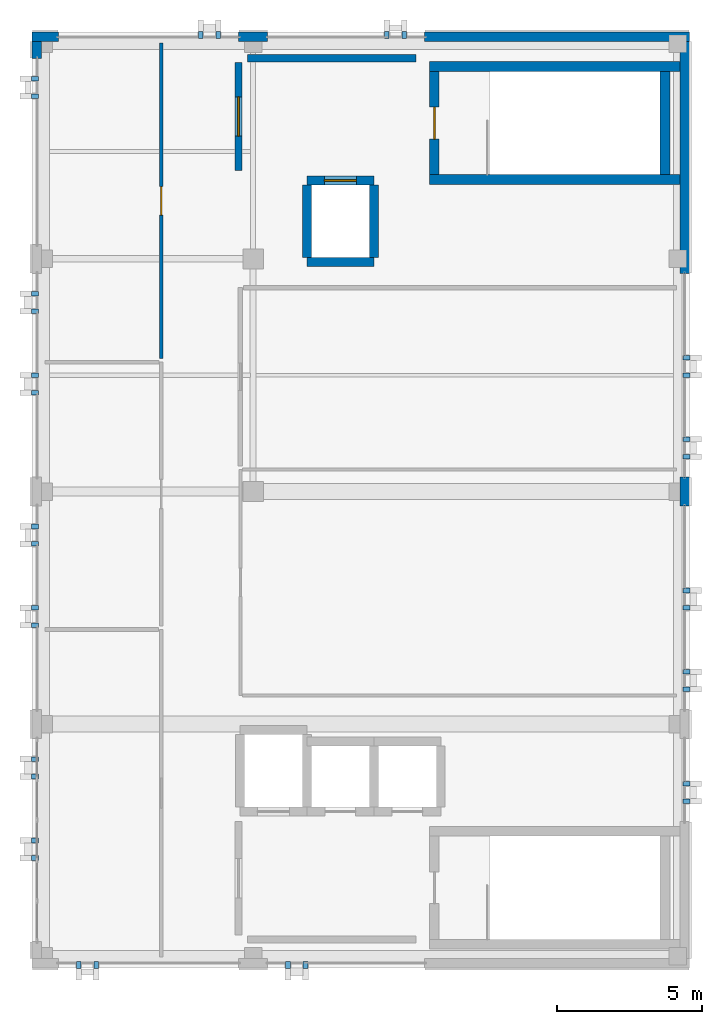
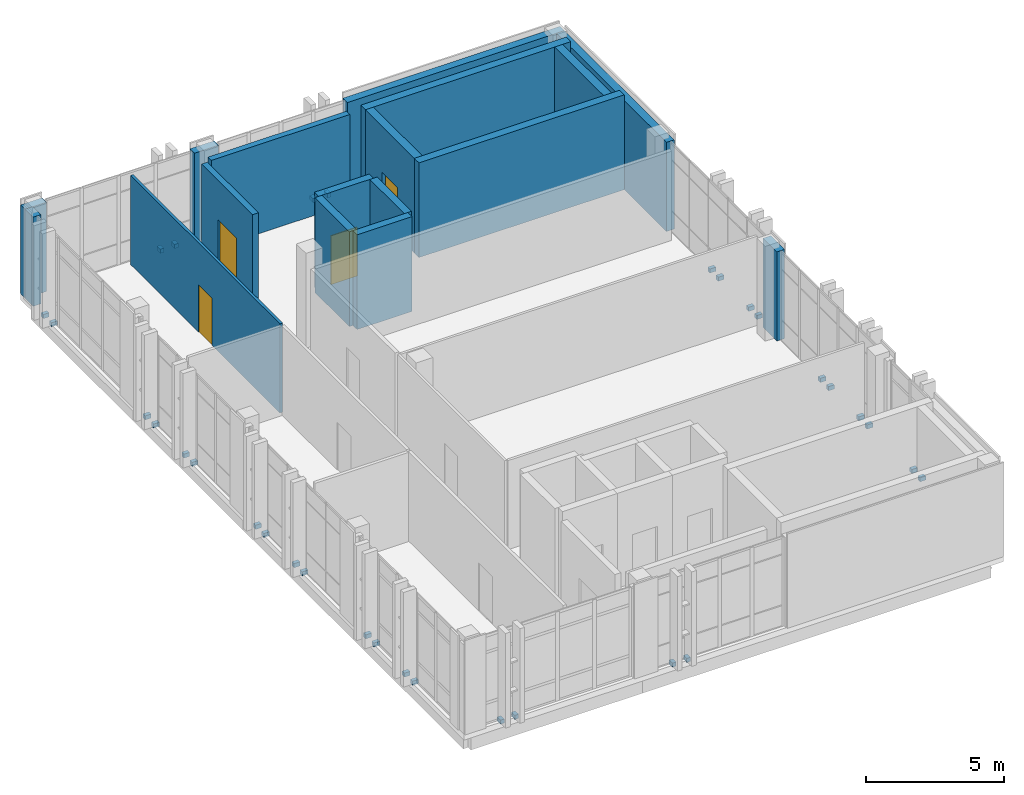
# One storey, part 18 of 19: 32 discrete accessories, 17 walls, 4 doors, 4 openings.
"""IFC4 building model written with IfcOpenShell, lengths in metres."""

from ifc_helpers import new_model, si_unit, direction, frame, frame_2d, origin, origin_2d, place, context, subcontext, project, spatial, rectangle, extrude, material, layer, layer_set, type_object, element, fill, save


model = new_model("IFC4")

# Units and contexts
model_context = context("Model", 3, precision=1e-05, world=origin(), true_north=direction((0.0, 1.0)))
body_context = subcontext(model_context, "Body", "Model", "MODEL_VIEW")
ifc_project = project(units=[si_unit("LENGTHUNIT", "METRE"), si_unit("AREAUNIT", "SQUARE_METRE"), si_unit("VOLUMEUNIT", "CUBIC_METRE"), si_unit("PLANEANGLEUNIT", "RADIAN"), si_unit("MASSUNIT", "GRAM", prefix="KILO")], contexts=[model_context])

# Site, building, storey
site_placement = place(None, origin())
site = spatial("IfcSite", under=ifc_project, at=site_placement, CompositionType="ELEMENT")
building_placement = place(site_placement, origin())
building = spatial("IfcBuilding", under=site, at=building_placement, Name="Qalavern Law Courts", CompositionType="ELEMENT")
storey_placement = place(building_placement, frame((0.0, 0.0, 39.60009765625)))
storey = spatial("IfcBuildingStorey", under=building, at=storey_placement, Name="L09", CompositionType="ELEMENT", Elevation=39.60009765625)

# Walls
ifc_material_1 = material(Name="Concrete C40/50", Category="concrete")
ifc_layer_1 = layer(ifc_material_1, 0.324951171875)
ifc_layer_set_1 = layer_set([ifc_layer_1], Name="Concrete C40/50")
wall_type_1 = type_object("IfcWallType", Name="ENV-EW-325", PredefinedType="SOLIDWALL", material=ifc_layer_set_1)
wall_1_placement = place(storey_placement, frame((106.637451171875, 56.89990234375, 0.0), z_axis=(0.0, 0.0, 1.0), x_axis=(0.0, 1.0, 0.0)))
element("IfcWall", 1, at=wall_1_placement, inside=storey, type_object=wall_type_1, Name="V4 exterior pier wall L09 east 3", PredefinedType="SOLIDWALL", context=body_context, shape_type="SweptSolid", body=[
    extrude(rectangle(XDim=1.0, YDim=0.324951171875, at=frame_2d((0.5, 0.0))), origin(), (0.0, 0.0, 1.0), 3.949951171875),
])
wall_2_placement = place(storey_placement, frame((106.637451171875, 64.89990234375, 0.0), z_axis=(0.0, 0.0, 1.0), x_axis=(0.0, 1.0, 0.0)))
element("IfcWall", 2, at=wall_2_placement, inside=storey, type_object=wall_type_1, Name="V4 exterior pier wall L09 east 4", PredefinedType="SOLIDWALL", context=body_context, shape_type="SweptSolid", body=[
    extrude(rectangle(XDim=7.97998046875, YDim=0.324951171875, at=frame_2d((3.989990234375, 0.0))), origin(), (0.0, 0.0, 1.0), 3.949951171875),
])
wall_3_placement = place(storey_placement, frame((106.800048828125, 73.03759765625, 0.0), z_axis=(0.0, 0.0, 1.0), x_axis=(-1.0, 0.0, 0.0)))
element("IfcWall", 3, at=wall_3_placement, inside=storey, type_object=wall_type_1, Name="V4 exterior pier wall L09 north 1", PredefinedType="SOLIDWALL", context=body_context, shape_type="SweptSolid", body=[
    extrude(rectangle(XDim=9.10009765625, YDim=0.324951171875, at=frame_2d((4.550048828125, 0.0))), origin(), (0.0, 0.0, 1.0), 3.949951171875),
])
wall_4_placement = place(storey_placement, frame((92.300048828125, 73.03759765625, 0.0), z_axis=(0.0, 0.0, 1.0), x_axis=(-1.0, 0.0, 0.0)))
element("IfcWall", 4, at=wall_4_placement, inside=storey, type_object=wall_type_1, Name="V4 exterior pier wall L09 north 2", PredefinedType="SOLIDWALL", context=body_context, shape_type="SweptSolid", body=[
    extrude(rectangle(XDim=1.0, YDim=0.324951171875, at=frame_2d((0.5, 0.0))), origin(), (0.0, 0.0, 1.0), 3.949951171875),
])
wall_5_placement = place(storey_placement, frame((85.10009765625, 73.03759765625, 0.0), z_axis=(0.0, 0.0, 1.0), x_axis=(-1.0, 0.0, 0.0)))
element("IfcWall", 5, at=wall_5_placement, inside=storey, type_object=wall_type_1, Name="V4 exterior pier wall L09 north 3", PredefinedType="SOLIDWALL", context=body_context, shape_type="SweptSolid", body=[
    extrude(rectangle(XDim=0.900146484375, YDim=0.324951171875, at=frame_2d((0.4501953125, 0.0))), origin(), (0.0, 0.0, 1.0), 3.949951171875),
])
wall_6_placement = place(storey_placement, frame((84.362548828125, 72.8798828125, 0.0), z_axis=(0.0, 0.0, 1.0), x_axis=(0.0, -1.0, 0.0)))
element("IfcWall", 6, at=wall_6_placement, inside=storey, type_object=wall_type_1, Name="V4 exterior pier wall L09 west 1", PredefinedType="SOLIDWALL", context=body_context, shape_type="SweptSolid", body=[
    extrude(rectangle(XDim=0.579833984375, YDim=0.324951171875, at=frame_2d((0.2900390625, 0.0))), origin(), (0.0, 0.0, 1.0), 3.949951171875),
])
ifc_material_2 = material(Name="Concrete C45/55", Category="concrete")
ifc_layer_2 = layer(ifc_material_2, 0.3349609375)
ifc_layer_set_2 = layer_set([ifc_layer_2], Name="Concrete C45/55")
wall_type_2 = type_object("IfcWallType", Name="INT-CW-335", PredefinedType="SHEAR", material=ifc_layer_set_2)
wall_7_placement = place(storey_placement, frame((97.864990234375, 68.132568359375, 0.0), z_axis=(0.0, 0.0, 1.0), x_axis=(1.0, 0.0, 0.0)))
element("IfcWall", 7, at=wall_7_placement, inside=storey, type_object=wall_type_2, Name="Core K1B stair shear wall L09 south", PredefinedType="SHEAR", context=body_context, shape_type="SweptSolid", body=[
    extrude(rectangle(XDim=8.60693359375, YDim=0.3349609375, at=frame_2d((4.303466796875, 0.0))), origin(), (0.0, 0.0, 1.0), 4.199951171875),
])
wall_8_placement = place(storey_placement, frame((105.967529296875, 68.300048828125, 0.0), z_axis=(0.0, 0.0, 1.0), x_axis=(0.0, 1.0, 0.0)))
element("IfcWall", 8, at=wall_8_placement, inside=storey, type_object=wall_type_2, Name="Core K1B stair shear wall L09 east", PredefinedType="SHEAR", context=body_context, shape_type="SweptSolid", body=[
    extrude(rectangle(XDim=3.550048828125, YDim=0.3349609375, at=frame_2d((1.77490234375, 0.0))), origin(), (0.0, 0.0, 1.0), 4.199951171875),
])
wall_9_placement = place(storey_placement, frame((106.471923828125, 72.017578125, 0.0), z_axis=(0.0, 0.0, 1.0), x_axis=(-1.0, 0.0, 0.0)))
element("IfcWall", 9, at=wall_9_placement, inside=storey, type_object=wall_type_2, Name="Core K1B stair shear wall L09 north", PredefinedType="SHEAR", context=body_context, shape_type="SweptSolid", body=[
    extrude(rectangle(XDim=8.60693359375, YDim=0.3349609375, at=frame_2d((4.303466796875, 0.0))), origin(), (0.0, 0.0, 1.0), 4.199951171875),
])

# Wall, opening, door
wall_10_placement = place(storey_placement, frame((98.032470703125, 71.85009765625, 0.0), z_axis=(0.0, 0.0, 1.0), x_axis=(0.0, -1.0, 0.0)))
wall_10 = element("IfcWall", 10, at=wall_10_placement, inside=storey, type_object=wall_type_2, Name="Core K1B stair shear wall L09 west", PredefinedType="SHEAR", context=body_context, shape_type="SweptSolid", body=[
    extrude(rectangle(XDim=3.550048828125, YDim=0.3349609375, at=frame_2d((1.77490234375, 0.0))), origin(), (0.0, 0.0, 1.0), 4.199951171875),
])
opening_1_placement = place(wall_10_placement, frame((1.22509765625, 0.0, 0.0)))
opening_1 = element("IfcOpeningElement", 11, at=opening_1_placement, cuts=wall_10, Name="Opening L09-D047", PredefinedType="OPENING", context=body_context, shape_type="SweptSolid", body=[
    extrude(rectangle(XDim=1.10009765625, YDim=2.14990234375, at=frame_2d((0.550048828125, 1.074951171875))), frame((0.0, 0.182373046875, 0.0), z_axis=(0.0, -1.0, 0.0), x_axis=(1.0, 0.0, 0.0)), (0.0, 0.0, 1.0), 0.36474609375),
])
ifc_material_3 = material(Name="Steel fire-rated stair enclosure door", Category="steel")
door_type_1 = type_object("IfcDoorType", Name="INT-FD-1100x2150", OperationType="NOTDEFINED", PredefinedType="DOOR", material=ifc_material_3)
door_1_placement = place(opening_1_placement, frame((1.10009765625, 0.0, 0.0), z_axis=(0.0, 0.0, 1.0), x_axis=(-1.0, 0.0, 0.0)))
door_1 = element("IfcDoor", 12, at=door_1_placement, inside=storey, type_object=door_type_1, Name="Stair K1B fire door L09", OperationType="SINGLE_SWING_RIGHT", OverallHeight=2.14990234375, OverallWidth=1.10009765625, PredefinedType="DOOR", context=body_context, shape_type="SweptSolid", body=[
    extrude(rectangle(XDim=1.10009765625, YDim=2.14990234375, at=frame_2d((0.550048828125, 1.074951171875))), frame((0.0, 0.02490234375, 0.0), z_axis=(0.0, -1.0, 0.0), x_axis=(1.0, 0.0, 0.0)), (0.0, 0.0, 1.0), 0.050048828125),
])
fill(opening_1, door_1)

ifc_layer_3 = layer(ifc_material_1, 0.2451171875)
ifc_layer_set_3 = layer_set([ifc_layer_3], Name="Concrete C40/50")
wall_type_3 = type_object("IfcWallType", Name="INT-FW-245", PredefinedType="PARTITIONING", material=ifc_layer_set_3)
wall_11_placement = place(storey_placement, frame((91.300048828125, 68.449951171875, 0.0), z_axis=(0.0, 0.0, 1.0), x_axis=(0.0, 1.0, 0.0)))
wall_11 = element("IfcWall", 13, at=wall_11_placement, inside=storey, type_object=wall_type_3, Name="Core K1B firefighting/stair lobby fire wall L09", PredefinedType="PARTITIONING", context=body_context, shape_type="SweptSolid", body=[
    extrude(rectangle(XDim=3.699951171875, YDim=0.2451171875, at=frame_2d((1.85009765625, 0.0))), origin(), (0.0, 0.0, 1.0), 3.949951171875),
])
opening_2_placement = place(wall_11_placement, frame((1.175048828125, 0.0, 0.0)))
opening_2 = element("IfcOpeningElement", 14, at=opening_2_placement, cuts=wall_11, Name="Opening L09-D048", PredefinedType="OPENING", context=body_context, shape_type="SweptSolid", body=[
    extrude(rectangle(XDim=1.35009765625, YDim=2.199951171875, at=frame_2d((0.675048828125, 1.10009765625))), frame((0.0, 0.137451171875, 0.0), z_axis=(0.0, -1.0, 0.0), x_axis=(1.0, 0.0, 0.0)), (0.0, 0.0, 1.0), 0.27490234375),
])
ifc_material_4 = material(Name="Steel fire-rated frame and acoustic timber leaves", Category="steel")
door_type_2 = type_object("IfcDoorType", Name="INT-FD-1350x2200", OperationType="DOUBLE_DOOR_SINGLE_SWING", PredefinedType="DOOR", material=ifc_material_4)
door_2_placement = place(opening_2_placement, origin())
door_2 = element("IfcDoor", 15, at=door_2_placement, inside=storey, type_object=door_type_2, Name="Core K1B lobby fire door L09", OperationType="DOUBLE_DOOR_SINGLE_SWING", OverallHeight=2.199951171875, OverallWidth=1.35009765625, PredefinedType="DOOR", context=body_context, shape_type="SweptSolid", body=[
    extrude(rectangle(XDim=1.35009765625, YDim=2.199951171875, at=frame_2d((0.675048828125, 1.10009765625))), frame((0.0, 0.02490234375, 0.0), z_axis=(0.0, -1.0, 0.0), x_axis=(1.0, 0.0, 0.0)), (0.0, 0.0, 1.0), 0.050048828125),
])
fill(opening_2, door_2)

# Wall
wall_12_placement = place(storey_placement, frame((91.60009765625, 72.300048828125, 0.0), z_axis=(0.0, 0.0, 1.0), x_axis=(1.0, 0.0, 0.0)))
element("IfcWall", 16, at=wall_12_placement, inside=storey, type_object=wall_type_3, Name="Core K1B lobby return wall L09 north", PredefinedType="PARTITIONING", context=body_context, shape_type="SweptSolid", body=[
    extrude(rectangle(XDim=5.7998046875, YDim=0.2451171875, at=frame_2d((2.89990234375, 0.0))), origin(), (0.0, 0.0, 1.0), 3.949951171875),
])

# Wall, opening, door
ifc_material_5 = material(Name="Gypsum stud partition")
ifc_layer_4 = layer(ifc_material_5, 0.112060546875)
ifc_layer_set_4 = layer_set([ifc_layer_4], Name="Gypsum stud partition")
wall_type_4 = type_object("IfcWallType", Name="INT-PW-112", PredefinedType="PARTITIONING", material=ifc_layer_set_4)
wall_13_placement = place(storey_placement, frame((88.639892578125, 61.97412109375, 0.0), z_axis=(0.0, 0.0, 1.0), x_axis=(0.0, 1.0, 0.0)))
wall_13 = element("IfcWall", 17, at=wall_13_placement, inside=storey, type_object=wall_type_4, Name="Court Administration Office corridor partition L09", PredefinedType="PARTITIONING", context=body_context, shape_type="SweptSolid", body=[
    extrude(rectangle(XDim=10.845947265625, YDim=0.112060546875, at=frame_2d((5.4228515625, 0.0))), origin(), (0.0, 0.0, 1.0), 3.949951171875),
])
opening_3_placement = place(wall_13_placement, frame((4.93310546875, 0.0, 0.0)))
opening_3 = element("IfcOpeningElement", 18, at=opening_3_placement, cuts=wall_13, Name="Opening L09-D323", PredefinedType="OPENING", context=body_context, shape_type="SweptSolid", body=[
    extrude(rectangle(XDim=0.97998046875, YDim=2.090087890625, at=frame_2d((0.489990234375, 1.044921875))), frame((0.0, 0.07080078125, 0.0), z_axis=(0.0, -1.0, 0.0), x_axis=(1.0, 0.0, 0.0)), (0.0, 0.0, 1.0), 0.141845703125),
])
ifc_material_6 = material(Name="Timber Legal Research Office door", Category="wood")
door_type_3 = type_object("IfcDoorType", Name="INT-ID-980x2090", OperationType="NOTDEFINED", PredefinedType="DOOR", material=ifc_material_6)
door_3_placement = place(opening_3_placement, frame((0.97998046875, 0.0, 0.0), z_axis=(0.0, 0.0, 1.0), x_axis=(-1.0, 0.0, 0.0)))
door_3 = element("IfcDoor", 19, at=door_3_placement, inside=storey, type_object=door_type_3, Name="Court Administration Office door L09", OperationType="SINGLE_SWING_RIGHT", OverallHeight=2.090087890625, OverallWidth=0.97998046875, PredefinedType="DOOR", context=body_context, shape_type="SweptSolid", body=[
    extrude(rectangle(XDim=0.97998046875, YDim=2.090087890625, at=frame_2d((0.489990234375, 1.044921875))), frame((0.0, 0.02490234375, 0.0), z_axis=(0.0, -1.0, 0.0), x_axis=(1.0, 0.0, 0.0)), (0.0, 0.0, 1.0), 0.050048828125),
])
fill(opening_3, door_3)

# Walls
ifc_layer_5 = layer(ifc_material_2, 0.304931640625)
ifc_layer_set_5 = layer_set([ifc_layer_5], Name="Concrete C45/55")
wall_type_5 = type_object("IfcWallType", Name="INT-SW-305", PredefinedType="SHEAR", material=ifc_layer_set_5)
wall_14_placement = place(storey_placement, frame((93.6474609375, 65.297607421875, 0.0), z_axis=(0.0, 0.0, 1.0), x_axis=(1.0, 0.0, 0.0)))
element("IfcWall", 20, at=wall_14_placement, inside=storey, type_object=wall_type_5, Name="Lift LF-FF2 shaft wall L09 south", PredefinedType="SHEAR", context=body_context, shape_type="SweptSolid", body=[
    extrude(rectangle(XDim=2.304931640625, YDim=0.304931640625, at=frame_2d((1.15234375, 0.0))), origin(), (0.0, 0.0, 1.0), 4.199951171875),
])
wall_15_placement = place(storey_placement, frame((95.952392578125, 65.449951171875, 0.0), z_axis=(0.0, 0.0, 1.0), x_axis=(0.0, 1.0, 0.0)))
element("IfcWall", 21, at=wall_15_placement, inside=storey, type_object=wall_type_5, Name="Lift LF-FF2 shaft wall L09 east", PredefinedType="SHEAR", context=body_context, shape_type="SweptSolid", body=[
    extrude(rectangle(XDim=2.5, YDim=0.304931640625, at=frame_2d((1.25, 0.0))), origin(), (0.0, 0.0, 1.0), 4.199951171875),
])

# Wall, opening, door
wall_16_placement = place(storey_placement, frame((95.952392578125, 68.1025390625, 0.0), z_axis=(0.0, 0.0, 1.0), x_axis=(-1.0, 0.0, 0.0)))
wall_16 = element("IfcWall", 22, at=wall_16_placement, inside=storey, type_object=wall_type_5, Name="Lift LF-FF2 shaft wall L09 north", PredefinedType="SHEAR", context=body_context, shape_type="SweptSolid", body=[
    extrude(rectangle(XDim=2.304931640625, YDim=0.304931640625, at=frame_2d((1.15234375, 0.0))), origin(), (0.0, 0.0, 1.0), 4.199951171875),
])
opening_4_placement = place(wall_16_placement, frame((0.6025390625, 0.0, 0.0)))
opening_4 = element("IfcOpeningElement", 23, at=opening_4_placement, cuts=wall_16, Name="Opening LD-LF-FF2-L09", PredefinedType="OPENING", context=body_context, shape_type="SweptSolid", body=[
    extrude(rectangle(XDim=1.10009765625, YDim=2.159912109375, at=frame_2d((0.550048828125, 1.080078125))), frame((0.0, 0.16748046875, 0.0), z_axis=(0.0, -1.0, 0.0), x_axis=(1.0, 0.0, 0.0)), (0.0, 0.0, 1.0), 0.334716796875),
])
ifc_material_7 = material(Name="Stainless steel firefighting lift sliding landing door", Category="steel")
door_type_4 = type_object("IfcDoorType", Name="INT-LD-1100x2160", OperationType="DOUBLE_DOOR_SLIDING", PredefinedType="DOOR", material=ifc_material_7)
door_4_placement = place(opening_4_placement, origin())
door_4 = element("IfcDoor", 24, at=door_4_placement, inside=storey, type_object=door_type_4, Name="Lift LF-FF2 sliding landing door L09", OperationType="DOUBLE_DOOR_SLIDING", OverallHeight=2.159912109375, OverallWidth=1.10009765625, PredefinedType="DOOR", context=body_context, shape_type="SweptSolid", body=[
    extrude(rectangle(XDim=1.10009765625, YDim=2.159912109375, at=frame_2d((0.550048828125, 1.080078125))), frame((0.0, 0.02490234375, 0.0), z_axis=(0.0, -1.0, 0.0), x_axis=(1.0, 0.0, 0.0)), (0.0, 0.0, 1.0), 0.050048828125),
])
fill(opening_4, door_4)

# Wall
wall_17_placement = place(storey_placement, frame((93.6474609375, 67.949951171875, 0.0), z_axis=(0.0, 0.0, 1.0), x_axis=(0.0, -1.0, 0.0)))
element("IfcWall", 25, at=wall_17_placement, inside=storey, type_object=wall_type_5, Name="Lift LF-FF2 shaft wall L09 west", PredefinedType="SHEAR", context=body_context, shape_type="SweptSolid", body=[
    extrude(rectangle(XDim=2.5, YDim=0.304931640625, at=frame_2d((1.25, 0.0))), origin(), (0.0, 0.0, 1.0), 4.199951171875),
])

# Discrete accessories
ifc_material_8 = material(Name="Steel S355", Category="steel")
discrete_accessory_type = type_object("IfcDiscreteAccessoryType", Name="ENV-BRK-FIN", PredefinedType="BRACKET", material=ifc_material_8)
for number, where, z_axis, x_axis, name in (
    (26, (85.800048828125, 41.12255859375, -0.06982421875), (0.0, 0.0, 1.0), (0.0, -1.0, 0.0), "Stone blade anchor bracket 0865"),
    (27, (86.39990234375, 41.12255859375, -0.06982421875), (0.0, 0.0, 1.0), (0.0, -1.0, 0.0), "Stone blade anchor bracket 0866"),
    (28, (93.0, 41.12255859375, -0.06982421875), (0.0, 0.0, 1.0), (0.0, -1.0, 0.0), "Stone blade anchor bracket 0867"),
    (29, (93.60009765625, 41.12255859375, -0.06982421875), (0.0, 0.0, 1.0), (0.0, -1.0, 0.0), "Stone blade anchor bracket 0868"),
    (30, (106.697509765625, 46.75, -0.06982421875), (0.0, 0.0, 1.0), (1.0, 0.0, 0.0), "Stone blade anchor bracket 0869"),
    (31, (106.697509765625, 47.35009765625, -0.06982421875), (0.0, 0.0, 1.0), (1.0, 0.0, 0.0), "Stone blade anchor bracket 0870"),
    (32, (106.697509765625, 50.60009765625, -0.06982421875), (0.0, 0.0, 1.0), (1.0, 0.0, 0.0), "Stone blade anchor bracket 0871"),
    (33, (106.697509765625, 51.199951171875, -0.06982421875), (0.0, 0.0, 1.0), (1.0, 0.0, 0.0), "Stone blade anchor bracket 0872"),
    (34, (106.697509765625, 53.39990234375, -0.06982421875), (0.0, 0.0, 1.0), (1.0, 0.0, 0.0), "Stone blade anchor bracket 0873"),
    (35, (106.697509765625, 54.0, -0.06982421875), (0.0, 0.0, 1.0), (1.0, 0.0, 0.0), "Stone blade anchor bracket 0874"),
    (36, (106.697509765625, 58.60009765625, -0.06982421875), (0.0, 0.0, 1.0), (1.0, 0.0, 0.0), "Stone blade anchor bracket 0875"),
    (37, (106.697509765625, 59.199951171875, -0.06982421875), (0.0, 0.0, 1.0), (1.0, 0.0, 0.0), "Stone blade anchor bracket 0876"),
    (38, (106.697509765625, 61.39990234375, -0.06982421875), (0.0, 0.0, 1.0), (1.0, 0.0, 0.0), "Stone blade anchor bracket 0877"),
    (39, (106.697509765625, 62.0, -0.06982421875), (0.0, 0.0, 1.0), (1.0, 0.0, 0.0), "Stone blade anchor bracket 0878"),
    (40, (97.0, 73.097412109375, -0.06982421875), (0.0, 0.0, 1.0), (0.0, 1.0, 0.0), "Stone blade anchor bracket 0879"),
    (41, (96.39990234375, 73.097412109375, -0.06982421875), (0.0, 0.0, 1.0), (0.0, 1.0, 0.0), "Stone blade anchor bracket 0880"),
    (42, (90.60009765625, 73.097412109375, -0.06982421875), (0.0, 0.0, 1.0), (0.0, 1.0, 0.0), "Stone blade anchor bracket 0881"),
    (43, (90.0, 73.097412109375, -0.06982421875), (0.0, 0.0, 1.0), (0.0, 1.0, 0.0), "Stone blade anchor bracket 0882"),
    (44, (84.302490234375, 71.60009765625, -0.06982421875), (0.0, 0.0, 1.0), (-1.0, 0.0, 0.0), "Stone blade anchor bracket 0883"),
    (45, (84.302490234375, 71.0, -0.06982421875), (0.0, 0.0, 1.0), (-1.0, 0.0, 0.0), "Stone blade anchor bracket 0884"),
    (46, (84.302490234375, 64.199951171875, -0.06982421875), (0.0, 0.0, 1.0), (-1.0, 0.0, 0.0), "Stone blade anchor bracket 0885"),
    (47, (84.302490234375, 63.60009765625, -0.06982421875), (0.0, 0.0, 1.0), (-1.0, 0.0, 0.0), "Stone blade anchor bracket 0886"),
    (48, (84.302490234375, 61.39990234375, -0.06982421875), (0.0, 0.0, 1.0), (-1.0, 0.0, 0.0), "Stone blade anchor bracket 0887"),
    (49, (84.302490234375, 60.800048828125, -0.06982421875), (0.0, 0.0, 1.0), (-1.0, 0.0, 0.0), "Stone blade anchor bracket 0888"),
    (50, (84.302490234375, 56.199951171875, -0.06982421875), (0.0, 0.0, 1.0), (-1.0, 0.0, 0.0), "Stone blade anchor bracket 0889"),
    (51, (84.302490234375, 55.60009765625, -0.06982421875), (0.0, 0.0, 1.0), (-1.0, 0.0, 0.0), "Stone blade anchor bracket 0890"),
    (52, (84.302490234375, 53.39990234375, -0.06982421875), (0.0, 0.0, 1.0), (-1.0, 0.0, 0.0), "Stone blade anchor bracket 0891"),
    (53, (84.302490234375, 52.800048828125, -0.06982421875), (0.0, 0.0, 1.0), (-1.0, 0.0, 0.0), "Stone blade anchor bracket 0892"),
    (54, (84.302490234375, 48.199951171875, -0.06982421875), (0.0, 0.0, 1.0), (-1.0, 0.0, 0.0), "Stone blade anchor bracket 0893"),
    (55, (84.302490234375, 47.60009765625, -0.06982421875), (0.0, 0.0, 1.0), (-1.0, 0.0, 0.0), "Stone blade anchor bracket 0894"),
    (56, (84.302490234375, 45.39990234375, -0.06982421875), (0.0, 0.0, 1.0), (-1.0, 0.0, 0.0), "Stone blade anchor bracket 0895"),
    (57, (84.302490234375, 44.800048828125, -0.06982421875), (0.0, 0.0, 1.0), (-1.0, 0.0, 0.0), "Stone blade anchor bracket 0896"),
):
    element("IfcDiscreteAccessory", number, at=place(storey_placement, frame(where, z_axis=z_axis, x_axis=x_axis)), inside=storey, type_object=discrete_accessory_type, Name=name, PredefinedType="BRACKET", context=body_context, shape_type="SweptSolid", body=[
        extrude(rectangle(XDim=0.239990234375, YDim=0.159912109375, at=origin_2d()), origin(), (0.0, 0.0, 1.0), 0.179931640625),
    ])

save(model, "model.ifc")
